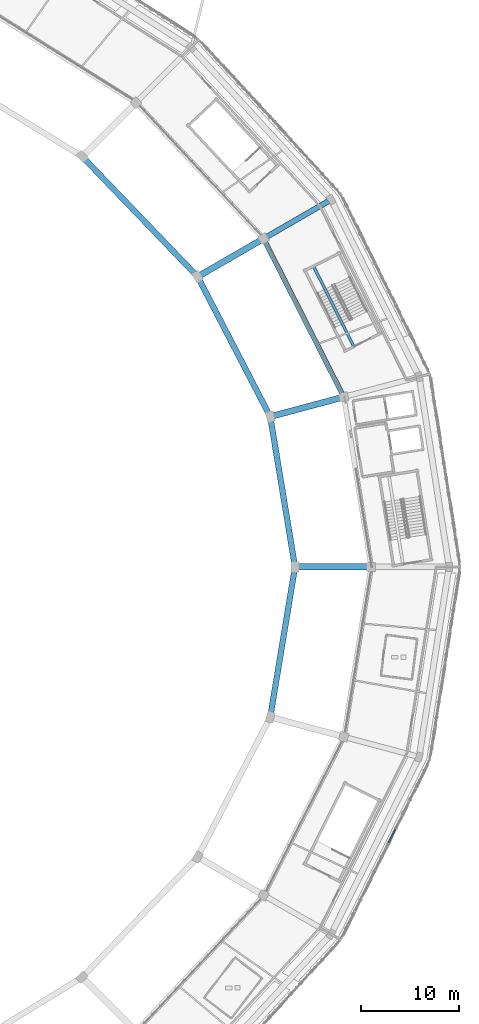
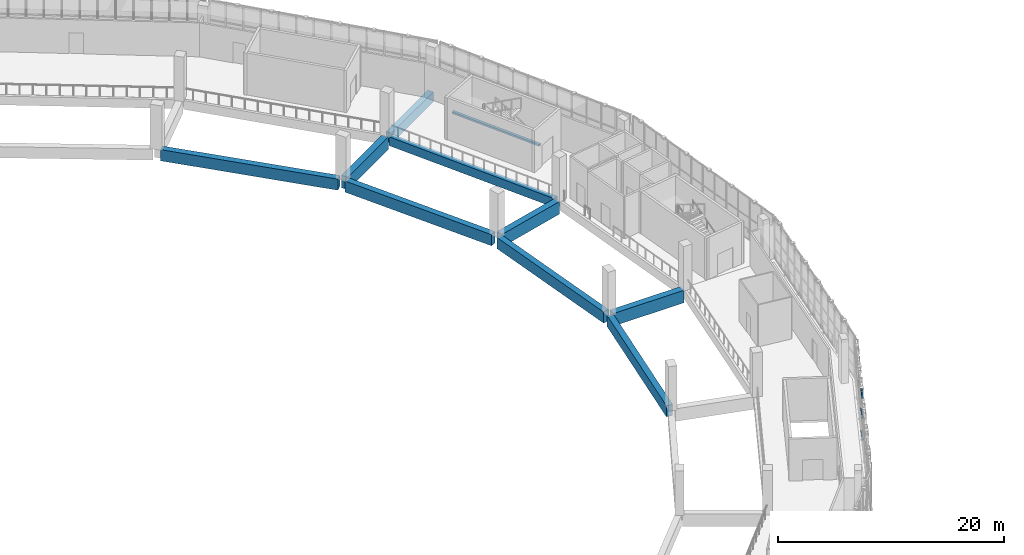
# One storey, part 27 of 108: 10 beams, 3 members, 1 element without a shape of its own.
"""IFC4 building model written with IfcOpenShell, lengths in metres."""

from ifc_helpers import new_model, si_unit, direction, frame, origin, origin_2d, place, context, subcontext, project, spatial, rectangle, extrude, material, material_profile, profile_set, type_object, element, aggregate, save


model = new_model("IFC4")

# Units and contexts
model_context = context("Model", 3, precision=1e-05, world=origin(), true_north=direction((0.0, 1.0)))
body_context = subcontext(model_context, "Body", "Model", "MODEL_VIEW")
ifc_project = project(units=[si_unit("LENGTHUNIT", "METRE"), si_unit("AREAUNIT", "SQUARE_METRE"), si_unit("VOLUMEUNIT", "CUBIC_METRE"), si_unit("PLANEANGLEUNIT", "RADIAN"), si_unit("MASSUNIT", "GRAM", prefix="KILO")], contexts=[model_context])

# Site, building, storey
site_placement = place(None, origin())
site = spatial("IfcSite", under=ifc_project, at=site_placement, CompositionType="ELEMENT")
building_placement = place(site_placement, origin())
building = spatial("IfcBuilding", under=site, at=building_placement, Name="Zevraka Park Crest Stadium", CompositionType="ELEMENT")
storey_placement = place(building_placement, frame((0.0, 0.0, 19.800048828125)))
storey = spatial("IfcBuildingStorey", under=building, at=storey_placement, Name="L04", CompositionType="ELEMENT", Elevation=19.800048828125)

# Beams
ifc_material_1 = material(Name="Concrete C40/50", Category="concrete")
ifc_material_profile_1 = material_profile(ifc_material_1, rectangle(XDim=0.64990234375, YDim=1.35009765625, at=origin_2d()), Name="RC 1350x650")
ifc_profile_set_1 = profile_set([ifc_material_profile_1], Name="Concrete C40/50")
beam_type_1 = type_object("IfcBeamType", Name="BG01", PredefinedType="BEAM", material=ifc_profile_set_1)
beam_1_placement = place(storey_placement, frame((186.800048828125, 92.0, -0.68505859375), z_axis=(1.0, 0.0, 0.0), x_axis=(0.0, 1.0, 0.0)))
element("IfcBeam", 1, at=beam_1_placement, inside=storey, type_object=beam_type_1, Name="Radial Girder BG01 L04-BC-00", PredefinedType="BEAM", context=body_context, shape_type="SweptSolid", body=[
    extrude(rectangle(XDim=0.64990234375, YDim=1.35009765625, at=origin_2d()), origin(), (0.0, 0.0, 1.0), 7.199951171875),
])
beam_2_placement = place(storey_placement, frame((184.2509765625, 107.47802734375, -0.68505859375), z_axis=(0.965945630245, 0.258745124417, 0.0), x_axis=(-0.258745124417, 0.965945630245, 0.0)))
element("IfcBeam", 2, at=beam_2_placement, inside=storey, type_object=beam_type_1, Name="Radial Girder BG01 L04-BC-01", PredefinedType="BEAM", context=body_context, shape_type="SweptSolid", body=[
    extrude(rectangle(XDim=0.64990234375, YDim=1.35009765625, at=origin_2d()), origin(), (0.0, 0.0, 1.0), 7.2001953125),
])
beam_3_placement = place(storey_placement, frame((176.779052734375, 121.89990234375, -0.68505859375), z_axis=(0.866001485781, 0.500041424909, 0.0), x_axis=(-0.500041424909, 0.866001485781, 0.0)))
element("IfcBeam", 3, at=beam_3_placement, inside=storey, type_object=beam_type_1, Name="Radial Girder BG01 L04-BC-02", PredefinedType="BEAM", context=body_context, shape_type="SweptSolid", body=[
    extrude(rectangle(XDim=0.64990234375, YDim=1.35009765625, at=origin_2d()), origin(), (0.0, 0.0, 1.0), 7.19970703125),
])
ifc_material_2 = material(Name="Concrete C40/50", Category="concrete")
ifc_material_profile_2 = material_profile(ifc_material_2, rectangle(XDim=0.550048828125, YDim=1.10009765625, at=origin_2d()), Name="RC 1100x550")
ifc_profile_set_2 = profile_set([ifc_material_profile_2], Name="Concrete C40/50")
beam_type_2 = type_object("IfcBeamType", Name="BG02", PredefinedType="BEAM", material=ifc_profile_set_2)
beam_4_placement = place(storey_placement, frame((183.533935546875, 125.800048828125, -0.56005859375), z_axis=(0.86600700885, 0.500031859608, 0.0), x_axis=(-0.500031859608, 0.86600700885, 0.0)))
element("IfcBeam", 4, at=beam_4_placement, inside=storey, type_object=beam_type_2, Name="Radial Girder BG02 L04-CD-02", PredefinedType="BEAM", context=body_context, shape_type="SweptSolid", body=[
    extrude(rectangle(XDim=0.550048828125, YDim=1.10009765625, at=origin_2d()), origin(), (0.0, 0.0, 1.0), 7.3994140625),
])

# Curtain wall, members
ifc_material_3 = material(Name="Anodised architectural aluminium and laminated safety glass", Category="aluminium")
curtain_wall_type = type_object("IfcCurtainWallType", Name="CW17", PredefinedType="NOTDEFINED", material=ifc_material_3)
curtain_wall_placement = place(storey_placement, origin())
curtain_wall = element("IfcCurtainWall", 5, at=curtain_wall_placement, inside=storey, type_object=curtain_wall_type, Name="Unitised Ring Curtain Wall CW17 L04-22", PredefinedType="NOTDEFINED")
ifc_material_4 = material(Name="Anodised architectural aluminium", Category="aluminium")
ifc_material_profile_3 = material_profile(ifc_material_4, rectangle(XDim=0.139892578125, YDim=0.06494140625, at=origin_2d()), Name="ALU TRANSOM 140x65")
ifc_profile_set_3 = profile_set([ifc_material_profile_3], Name="Anodised architectural aluminium")
member_type = type_object("IfcMemberType", Name="CT02", PredefinedType="USERDEFINED", material=ifc_profile_set_3)
member_1_placement = place(storey_placement, frame((196.100830078125, 63.739501953125, 0.032470703125), z_axis=(0.443818964624, 0.89611646935, 0.0), x_axis=(-0.89611646935, 0.443818964624, 0.0)))
member_1 = element("IfcMember", 6, at=member_1_placement, type_object=member_type, Name="CW17 transom 8.1", ObjectType="TRANSOM", PredefinedType="USERDEFINED", context=body_context, shape_type="SweptSolid", body=[
    extrude(rectangle(XDim=0.139892578125, YDim=0.06494140625, at=origin_2d()), origin(), (0.0, 0.0, 1.0), 1.497314453125),
])
member_2_placement = place(storey_placement, frame((196.100830078125, 63.739501953125, 2.39990234375), z_axis=(0.443818964624, 0.89611646935, 0.0), x_axis=(-0.89611646935, 0.443818964624, 0.0)))
member_2 = element("IfcMember", 7, at=member_2_placement, type_object=member_type, Name="CW17 transom 8.2", ObjectType="TRANSOM", PredefinedType="USERDEFINED", context=body_context, shape_type="SweptSolid", body=[
    extrude(rectangle(XDim=0.139892578125, YDim=0.06494140625, at=origin_2d()), origin(), (0.0, 0.0, 1.0), 1.497314453125),
])
member_3_placement = place(storey_placement, frame((196.100830078125, 63.739501953125, 4.507568359375), z_axis=(0.443818964624, 0.89611646935, 0.0), x_axis=(-0.89611646935, 0.443818964624, 0.0)))
member_3 = element("IfcMember", 8, at=member_3_placement, type_object=member_type, Name="CW17 transom 8.3", ObjectType="TRANSOM", PredefinedType="USERDEFINED", context=body_context, shape_type="SweptSolid", body=[
    extrude(rectangle(XDim=0.139892578125, YDim=0.06494140625, at=origin_2d()), origin(), (0.0, 0.0, 1.0), 1.497314453125),
])
aggregate(curtain_wall, [member_1, member_2, member_3])

# Beams
ifc_material_5 = material(Name="Concrete C40/50", Category="concrete")
ifc_material_profile_4 = material_profile(ifc_material_5, rectangle(XDim=0.60009765625, YDim=1.199951171875, at=origin_2d()), Name="RC 1200x600")
ifc_profile_set_4 = profile_set([ifc_material_profile_4], Name="Concrete C40/50")
beam_type_3 = type_object("IfcBeamType", Name="RB01", PredefinedType="BEAM", material=ifc_profile_set_4)
beam_5_placement = place(storey_placement, frame((186.43798828125, 92.375, -0.610107421875), z_axis=(-0.162654875862, 0.986683024764, 0.0), x_axis=(-0.986683024764, -0.162654875862, 0.0)))
element("IfcBeam", 9, at=beam_5_placement, inside=storey, type_object=beam_type_3, Name="Ring Beam RB01 L04-B-00", PredefinedType="BEAM", context=body_context, shape_type="SweptSolid", body=[
    extrude(rectangle(XDim=0.60009765625, YDim=1.199951171875, at=origin_2d()), origin(), (0.0, 0.0, 1.0), 14.84765625),
])
beam_6_placement = place(storey_placement, frame((183.785888671875, 107.737060546875, -0.610107421875), z_axis=(-0.460343993973, 0.887740619333, 0.0), x_axis=(-0.887740619333, -0.460343993973, 0.0)))
element("IfcBeam", 10, at=beam_6_placement, inside=storey, type_object=beam_type_3, Name="Ring Beam RB01 L04-B-01", PredefinedType="BEAM", context=body_context, shape_type="SweptSolid", body=[
    extrude(rectangle(XDim=0.60009765625, YDim=1.199951171875, at=origin_2d()), origin(), (0.0, 0.0, 1.0), 15.405517578125),
])
beam_7_placement = place(storey_placement, frame((176.256103515625, 122.02392578125, -0.610107421875), z_axis=(-0.692852617328, 0.721079226342, 0.0), x_axis=(-0.721079226342, -0.692852617328, 0.0)))
element("IfcBeam", 11, at=beam_7_placement, inside=storey, type_object=beam_type_3, Name="Ring Beam RB01 L04-B-02", PredefinedType="BEAM", context=body_context, shape_type="SweptSolid", body=[
    extrude(rectangle(XDim=0.60009765625, YDim=1.199951171875, at=origin_2d()), origin(), (0.0, 0.0, 1.0), 16.329833984375),
])
beam_8_placement = place(storey_placement, frame((184.02294921875, 76.97509765625, -0.610107421875), z_axis=(0.162654875862, 0.986683024764, 0.0), x_axis=(-0.986683024764, 0.162654875862, 0.0)))
element("IfcBeam", 12, at=beam_8_placement, inside=storey, type_object=beam_type_3, Name="Ring Beam RB01 L04-B-23", PredefinedType="BEAM", context=body_context, shape_type="SweptSolid", body=[
    extrude(rectangle(XDim=0.60009765625, YDim=1.199951171875, at=origin_2d()), origin(), (0.0, 0.0, 1.0), 14.84765625),
])
ifc_material_6 = material(Name="Concrete C40/50", Category="concrete")
ifc_material_profile_5 = material_profile(ifc_material_6, rectangle(XDim=0.5, YDim=0.949951171875, at=origin_2d()), Name="RC 950x500")
ifc_profile_set_5 = profile_set([ifc_material_profile_5], Name="Concrete C40/50")
beam_type_4 = type_object("IfcBeamType", Name="RB02", PredefinedType="BEAM", material=ifc_profile_set_5)
beam_9_placement = place(storey_placement, frame((191.323974609375, 109.758056640625, -0.485107421875), z_axis=(-0.451862275442, 0.892087710953, 0.0), x_axis=(-0.892087710953, -0.451862275442, 0.0)))
element("IfcBeam", 13, at=beam_9_placement, inside=storey, type_object=beam_type_4, Name="Ring Beam RB02 L04-C-01", PredefinedType="BEAM", context=body_context, shape_type="SweptSolid", body=[
    extrude(rectangle(XDim=0.5, YDim=0.949951171875, at=origin_2d()), origin(), (0.0, 0.0, 1.0), 17.434326171875),
])
ifc_material_7 = material(Name="Concrete C40/50", Category="concrete")
ifc_material_profile_6 = material_profile(ifc_material_7, rectangle(XDim=0.280029296875, YDim=0.199951171875, at=origin_2d()), Name="RC 200x280")
ifc_profile_set_6 = profile_set([ifc_material_profile_6], Name="Concrete C40/50")
beam_type_5 = type_object("IfcBeamType", Name="SJ13", PredefinedType="JOIST", material=ifc_profile_set_6)
beam_10_placement = place(storey_placement, frame((192.518798828125, 114.591552734375, 2.300048828125), z_axis=(-0.447920796254, 0.894073241006, 0.0), x_axis=(-0.894073241006, -0.447920796254, 0.0)))
element("IfcBeam", 14, at=beam_10_placement, inside=storey, type_object=beam_type_5, Name="Stair Upper-Flight Longitudinal Stringer SJ13 ST02-L04", PredefinedType="JOIST", context=body_context, shape_type="SweptSolid", body=[
    extrude(rectangle(XDim=0.280029296875, YDim=0.199951171875, at=origin_2d()), origin(), (0.0, 0.0, 1.0), 9.25),
])

save(model, "model.ifc")
